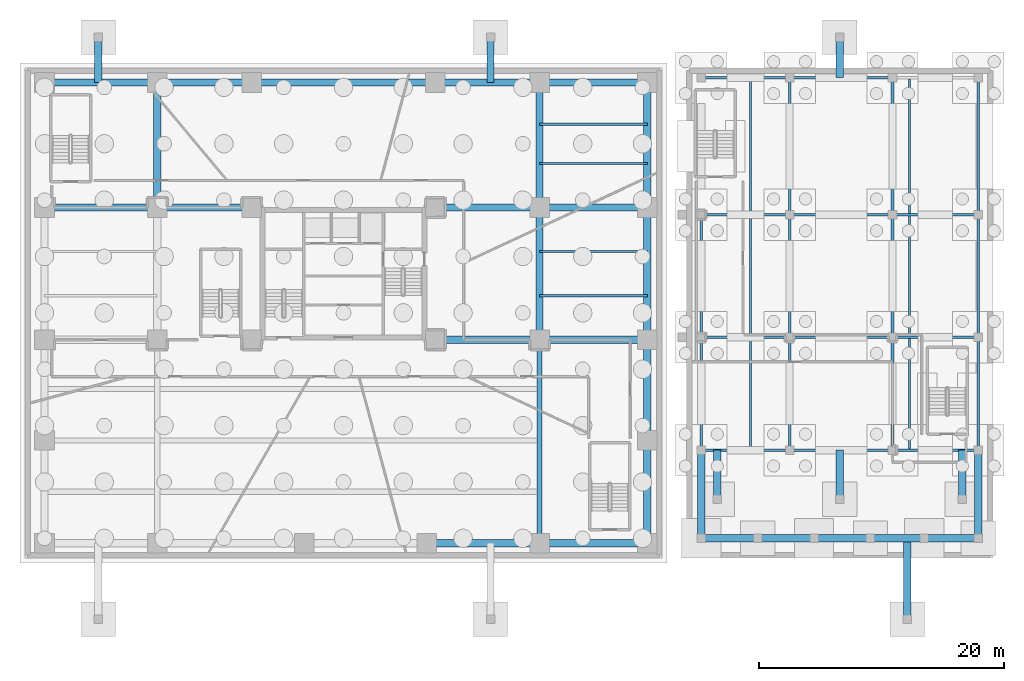
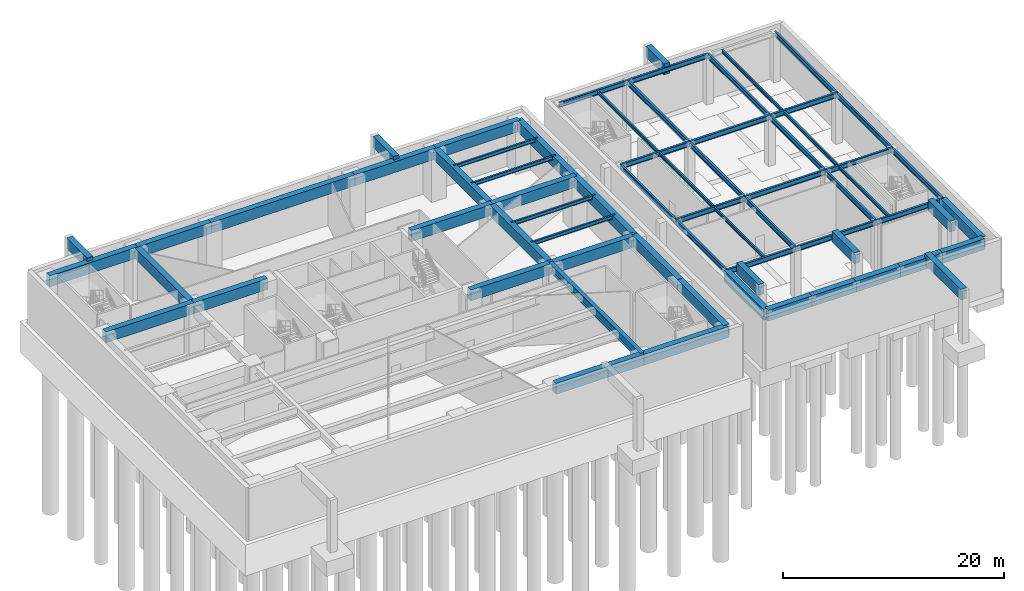
# One storey, part 3 of 15: 67 beams.
"""IFC4 building model written with IfcOpenShell, lengths in metres."""

from ifc_helpers import new_model, si_unit, direction, frame, origin, origin_2d, place, context, subcontext, project, spatial, rectangle, i_section, extrude, material, material_profile, profile_set, type_object, element, save


model = new_model("IFC4")

# Units and contexts
model_context = context("Model", 3, precision=1e-05, world=origin(), true_north=direction((0.0, 1.0)))
body_context = subcontext(model_context, "Body", "Model", "MODEL_VIEW")
ifc_project = project(units=[si_unit("LENGTHUNIT", "METRE"), si_unit("AREAUNIT", "SQUARE_METRE"), si_unit("VOLUMEUNIT", "CUBIC_METRE"), si_unit("PLANEANGLEUNIT", "RADIAN"), si_unit("MASSUNIT", "GRAM", prefix="KILO")], contexts=[model_context])

# Site, building, storey
site_placement = place(None, origin())
site = spatial("IfcSite", under=ifc_project, at=site_placement, CompositionType="ELEMENT")
building_placement = place(site_placement, origin())
building = spatial("IfcBuilding", under=site, at=building_placement, Name="Talar Marvaseh", CompositionType="ELEMENT")
storey_placement = place(building_placement, frame((0.0, 0.0, -11.60009765625)))
storey = spatial("IfcBuildingStorey", under=building, at=storey_placement, Name="B02", CompositionType="ELEMENT", Elevation=-11.60009765625)

# Beams
ifc_material_1 = material(Name="Steel S460", Category="steel")
ifc_material_profile_1 = material_profile(ifc_material_1, i_section(OverallWidth=0.41796875, OverallDepth=0.912109375, WebThickness=0.019287109375, FlangeThickness=0.031982421875, at=origin_2d()), Name="W920x342")
ifc_profile_set_1 = profile_set([ifc_material_profile_1], Name="Steel S460")
beam_type_1 = type_object("IfcBeamType", Name="Auditorium Long-Span Girder W920x342", PredefinedType="BEAM", material=ifc_profile_set_1)
beam_1_placement = place(storey_placement, frame((42.0, 9.199951171875, 4.984130859375), z_axis=(0.0, 1.0, 0.0), x_axis=(-1.0, 0.0, 0.0)))
element("IfcBeam", 1, at=beam_1_placement, inside=storey, type_object=beam_type_1, Name="B02 Auditorium Long-Span Girder W920x342", PredefinedType="BEAM", context=body_context, shape_type="SweptSolid", body=[
    extrude(i_section(OverallWidth=0.41796875, OverallDepth=0.912109375, WebThickness=0.019287109375, FlangeThickness=0.031982421875, at=origin_2d()), origin(), (0.0, 0.0, 1.0), 16.60009765625),
])
ifc_material_2 = material(Name="Steel S355", Category="steel")
ifc_material_profile_2 = material_profile(ifc_material_2, i_section(OverallWidth=0.2119140625, OverallDepth=0.5439453125, WebThickness=0.01318359375, FlangeThickness=0.021240234375, at=origin_2d()), Name="W530x123")
ifc_profile_set_2 = profile_set([ifc_material_profile_2], Name="Steel S355")
beam_type_2 = type_object("IfcBeamType", Name="Market Hall Primary Girder W530x123", PredefinedType="BEAM", material=ifc_profile_set_2)
beam_2_placement = place(storey_placement, frame((55.199951171875, 16.800048828125, 5.168212890625), z_axis=(1.0, 0.0, 0.0), x_axis=(0.0, 1.0, 0.0)))
element("IfcBeam", 2, at=beam_2_placement, inside=storey, type_object=beam_type_2, Name="B02 Market Hall Primary Girder W530x123", PredefinedType="BEAM", context=body_context, shape_type="SweptSolid", body=[
    extrude(i_section(OverallWidth=0.2119140625, OverallDepth=0.5439453125, WebThickness=0.01318359375, FlangeThickness=0.021240234375, at=origin_2d()), origin(), (0.0, 0.0, 1.0), 7.199951171875),
])
beam_3_placement = place(storey_placement, frame((62.39990234375, 16.800048828125, 5.168212890625), z_axis=(1.0, 0.0, 0.0), x_axis=(0.0, 1.0, 0.0)))
element("IfcBeam", 3, at=beam_3_placement, inside=storey, type_object=beam_type_2, Name="B02 Market Hall Primary Girder W530x123", PredefinedType="BEAM", context=body_context, shape_type="SweptSolid", body=[
    extrude(i_section(OverallWidth=0.2119140625, OverallDepth=0.5439453125, WebThickness=0.01318359375, FlangeThickness=0.021240234375, at=origin_2d()), origin(), (0.0, 0.0, 1.0), 8.400146484375),
])
beam_4_placement = place(storey_placement, frame((70.800048828125, 16.800048828125, 5.168212890625), z_axis=(1.0, 0.0, 0.0), x_axis=(0.0, 1.0, 0.0)))
element("IfcBeam", 4, at=beam_4_placement, inside=storey, type_object=beam_type_2, Name="B02 Market Hall Primary Girder W530x123", PredefinedType="BEAM", context=body_context, shape_type="SweptSolid", body=[
    extrude(i_section(OverallWidth=0.2119140625, OverallDepth=0.5439453125, WebThickness=0.01318359375, FlangeThickness=0.021240234375, at=origin_2d()), origin(), (0.0, 0.0, 1.0), 7.0),
])
beam_5_placement = place(storey_placement, frame((55.199951171875, 26.0, 5.168212890625), z_axis=(1.0, 0.0, 0.0), x_axis=(0.0, 1.0, 0.0)))
element("IfcBeam", 5, at=beam_5_placement, inside=storey, type_object=beam_type_2, Name="B02 Market Hall Primary Girder W530x123", PredefinedType="BEAM", context=body_context, shape_type="SweptSolid", body=[
    extrude(i_section(OverallWidth=0.2119140625, OverallDepth=0.5439453125, WebThickness=0.01318359375, FlangeThickness=0.021240234375, at=origin_2d()), origin(), (0.0, 0.0, 1.0), 7.199951171875),
])
beam_6_placement = place(storey_placement, frame((62.39990234375, 26.0, 5.168212890625), z_axis=(1.0, 0.0, 0.0), x_axis=(0.0, 1.0, 0.0)))
element("IfcBeam", 6, at=beam_6_placement, inside=storey, type_object=beam_type_2, Name="B02 Market Hall Primary Girder W530x123", PredefinedType="BEAM", context=body_context, shape_type="SweptSolid", body=[
    extrude(i_section(OverallWidth=0.2119140625, OverallDepth=0.5439453125, WebThickness=0.01318359375, FlangeThickness=0.021240234375, at=origin_2d()), origin(), (0.0, 0.0, 1.0), 8.400146484375),
])
beam_7_placement = place(storey_placement, frame((70.800048828125, 26.0, 5.168212890625), z_axis=(1.0, 0.0, 0.0), x_axis=(0.0, 1.0, 0.0)))
element("IfcBeam", 7, at=beam_7_placement, inside=storey, type_object=beam_type_2, Name="B02 Market Hall Primary Girder W530x123", PredefinedType="BEAM", context=body_context, shape_type="SweptSolid", body=[
    extrude(i_section(OverallWidth=0.2119140625, OverallDepth=0.5439453125, WebThickness=0.01318359375, FlangeThickness=0.021240234375, at=origin_2d()), origin(), (0.0, 0.0, 1.0), 7.0),
])
beam_8_placement = place(storey_placement, frame((55.199951171875, 36.0, 5.168212890625), z_axis=(1.0, 0.0, 0.0), x_axis=(0.0, 1.0, 0.0)))
element("IfcBeam", 8, at=beam_8_placement, inside=storey, type_object=beam_type_2, Name="B02 Market Hall Primary Girder W530x123", PredefinedType="BEAM", context=body_context, shape_type="SweptSolid", body=[
    extrude(i_section(OverallWidth=0.2119140625, OverallDepth=0.5439453125, WebThickness=0.01318359375, FlangeThickness=0.021240234375, at=origin_2d()), origin(), (0.0, 0.0, 1.0), 7.199951171875),
])
beam_9_placement = place(storey_placement, frame((62.39990234375, 36.0, 5.168212890625), z_axis=(1.0, 0.0, 0.0), x_axis=(0.0, 1.0, 0.0)))
element("IfcBeam", 9, at=beam_9_placement, inside=storey, type_object=beam_type_2, Name="B02 Market Hall Primary Girder W530x123", PredefinedType="BEAM", context=body_context, shape_type="SweptSolid", body=[
    extrude(i_section(OverallWidth=0.2119140625, OverallDepth=0.5439453125, WebThickness=0.01318359375, FlangeThickness=0.021240234375, at=origin_2d()), origin(), (0.0, 0.0, 1.0), 8.400146484375),
])
beam_10_placement = place(storey_placement, frame((70.800048828125, 36.0, 5.168212890625), z_axis=(1.0, 0.0, 0.0), x_axis=(0.0, 1.0, 0.0)))
element("IfcBeam", 10, at=beam_10_placement, inside=storey, type_object=beam_type_2, Name="B02 Market Hall Primary Girder W530x123", PredefinedType="BEAM", context=body_context, shape_type="SweptSolid", body=[
    extrude(i_section(OverallWidth=0.2119140625, OverallDepth=0.5439453125, WebThickness=0.01318359375, FlangeThickness=0.021240234375, at=origin_2d()), origin(), (0.0, 0.0, 1.0), 7.0),
])
beam_11_placement = place(storey_placement, frame((55.199951171875, 47.199951171875, 5.168212890625), z_axis=(1.0, 0.0, 0.0), x_axis=(0.0, 1.0, 0.0)))
element("IfcBeam", 11, at=beam_11_placement, inside=storey, type_object=beam_type_2, Name="B02 Market Hall Primary Girder W530x123", PredefinedType="BEAM", context=body_context, shape_type="SweptSolid", body=[
    extrude(i_section(OverallWidth=0.2119140625, OverallDepth=0.5439453125, WebThickness=0.01318359375, FlangeThickness=0.021240234375, at=origin_2d()), origin(), (0.0, 0.0, 1.0), 7.199951171875),
])
beam_12_placement = place(storey_placement, frame((62.39990234375, 47.199951171875, 5.168212890625), z_axis=(1.0, 0.0, 0.0), x_axis=(0.0, 1.0, 0.0)))
element("IfcBeam", 12, at=beam_12_placement, inside=storey, type_object=beam_type_2, Name="B02 Market Hall Primary Girder W530x123", PredefinedType="BEAM", context=body_context, shape_type="SweptSolid", body=[
    extrude(i_section(OverallWidth=0.2119140625, OverallDepth=0.5439453125, WebThickness=0.01318359375, FlangeThickness=0.021240234375, at=origin_2d()), origin(), (0.0, 0.0, 1.0), 8.400146484375),
])
beam_13_placement = place(storey_placement, frame((55.199951171875, 16.800048828125, 5.168212890625), z_axis=(0.0, 1.0, 0.0), x_axis=(-1.0, 0.0, 0.0)))
element("IfcBeam", 13, at=beam_13_placement, inside=storey, type_object=beam_type_2, Name="B02 Market Hall Primary Girder W530x123", PredefinedType="BEAM", context=body_context, shape_type="SweptSolid", body=[
    extrude(i_section(OverallWidth=0.2119140625, OverallDepth=0.5439453125, WebThickness=0.01318359375, FlangeThickness=0.021240234375, at=origin_2d()), origin(), (0.0, 0.0, 1.0), 9.199951171875),
])
beam_14_placement = place(storey_placement, frame((55.199951171875, 26.0, 5.168212890625), z_axis=(0.0, 1.0, 0.0), x_axis=(-1.0, 0.0, 0.0)))
element("IfcBeam", 14, at=beam_14_placement, inside=storey, type_object=beam_type_2, Name="B02 Market Hall Primary Girder W530x123", PredefinedType="BEAM", context=body_context, shape_type="SweptSolid", body=[
    extrude(i_section(OverallWidth=0.2119140625, OverallDepth=0.5439453125, WebThickness=0.01318359375, FlangeThickness=0.021240234375, at=origin_2d()), origin(), (0.0, 0.0, 1.0), 10.0),
])
beam_15_placement = place(storey_placement, frame((62.39990234375, 16.800048828125, 5.168212890625), z_axis=(0.0, 1.0, 0.0), x_axis=(-1.0, 0.0, 0.0)))
element("IfcBeam", 15, at=beam_15_placement, inside=storey, type_object=beam_type_2, Name="B02 Market Hall Primary Girder W530x123", PredefinedType="BEAM", context=body_context, shape_type="SweptSolid", body=[
    extrude(i_section(OverallWidth=0.2119140625, OverallDepth=0.5439453125, WebThickness=0.01318359375, FlangeThickness=0.021240234375, at=origin_2d()), origin(), (0.0, 0.0, 1.0), 9.199951171875),
])
beam_16_placement = place(storey_placement, frame((62.39990234375, 26.0, 5.168212890625), z_axis=(0.0, 1.0, 0.0), x_axis=(-1.0, 0.0, 0.0)))
element("IfcBeam", 16, at=beam_16_placement, inside=storey, type_object=beam_type_2, Name="B02 Market Hall Primary Girder W530x123", PredefinedType="BEAM", context=body_context, shape_type="SweptSolid", body=[
    extrude(i_section(OverallWidth=0.2119140625, OverallDepth=0.5439453125, WebThickness=0.01318359375, FlangeThickness=0.021240234375, at=origin_2d()), origin(), (0.0, 0.0, 1.0), 10.0),
])
beam_17_placement = place(storey_placement, frame((62.39990234375, 36.0, 5.168212890625), z_axis=(0.0, 1.0, 0.0), x_axis=(-1.0, 0.0, 0.0)))
element("IfcBeam", 17, at=beam_17_placement, inside=storey, type_object=beam_type_2, Name="B02 Market Hall Primary Girder W530x123", PredefinedType="BEAM", context=body_context, shape_type="SweptSolid", body=[
    extrude(i_section(OverallWidth=0.2119140625, OverallDepth=0.5439453125, WebThickness=0.01318359375, FlangeThickness=0.021240234375, at=origin_2d()), origin(), (0.0, 0.0, 1.0), 11.199951171875),
])
beam_18_placement = place(storey_placement, frame((70.800048828125, 16.800048828125, 5.168212890625), z_axis=(0.0, 1.0, 0.0), x_axis=(-1.0, 0.0, 0.0)))
element("IfcBeam", 18, at=beam_18_placement, inside=storey, type_object=beam_type_2, Name="B02 Market Hall Primary Girder W530x123", PredefinedType="BEAM", context=body_context, shape_type="SweptSolid", body=[
    extrude(i_section(OverallWidth=0.2119140625, OverallDepth=0.5439453125, WebThickness=0.01318359375, FlangeThickness=0.021240234375, at=origin_2d()), origin(), (0.0, 0.0, 1.0), 9.199951171875),
])
beam_19_placement = place(storey_placement, frame((70.800048828125, 26.0, 5.168212890625), z_axis=(0.0, 1.0, 0.0), x_axis=(-1.0, 0.0, 0.0)))
element("IfcBeam", 19, at=beam_19_placement, inside=storey, type_object=beam_type_2, Name="B02 Market Hall Primary Girder W530x123", PredefinedType="BEAM", context=body_context, shape_type="SweptSolid", body=[
    extrude(i_section(OverallWidth=0.2119140625, OverallDepth=0.5439453125, WebThickness=0.01318359375, FlangeThickness=0.021240234375, at=origin_2d()), origin(), (0.0, 0.0, 1.0), 10.0),
])
beam_20_placement = place(storey_placement, frame((70.800048828125, 36.0, 5.168212890625), z_axis=(0.0, 1.0, 0.0), x_axis=(-1.0, 0.0, 0.0)))
element("IfcBeam", 20, at=beam_20_placement, inside=storey, type_object=beam_type_2, Name="B02 Market Hall Primary Girder W530x123", PredefinedType="BEAM", context=body_context, shape_type="SweptSolid", body=[
    extrude(i_section(OverallWidth=0.2119140625, OverallDepth=0.5439453125, WebThickness=0.01318359375, FlangeThickness=0.021240234375, at=origin_2d()), origin(), (0.0, 0.0, 1.0), 11.199951171875),
])
beam_21_placement = place(storey_placement, frame((77.800048828125, 16.800048828125, 5.168212890625), z_axis=(0.0, 1.0, 0.0), x_axis=(-1.0, 0.0, 0.0)))
element("IfcBeam", 21, at=beam_21_placement, inside=storey, type_object=beam_type_2, Name="B02 Market Hall Primary Girder W530x123", PredefinedType="BEAM", context=body_context, shape_type="SweptSolid", body=[
    extrude(i_section(OverallWidth=0.2119140625, OverallDepth=0.5439453125, WebThickness=0.01318359375, FlangeThickness=0.021240234375, at=origin_2d()), origin(), (0.0, 0.0, 1.0), 9.199951171875),
])
beam_22_placement = place(storey_placement, frame((77.800048828125, 26.0, 5.168212890625), z_axis=(0.0, 1.0, 0.0), x_axis=(-1.0, 0.0, 0.0)))
element("IfcBeam", 22, at=beam_22_placement, inside=storey, type_object=beam_type_2, Name="B02 Market Hall Primary Girder W530x123", PredefinedType="BEAM", context=body_context, shape_type="SweptSolid", body=[
    extrude(i_section(OverallWidth=0.2119140625, OverallDepth=0.5439453125, WebThickness=0.01318359375, FlangeThickness=0.021240234375, at=origin_2d()), origin(), (0.0, 0.0, 1.0), 10.0),
])
beam_23_placement = place(storey_placement, frame((77.800048828125, 36.0, 5.168212890625), z_axis=(0.0, 1.0, 0.0), x_axis=(-1.0, 0.0, 0.0)))
element("IfcBeam", 23, at=beam_23_placement, inside=storey, type_object=beam_type_2, Name="B02 Market Hall Primary Girder W530x123", PredefinedType="BEAM", context=body_context, shape_type="SweptSolid", body=[
    extrude(i_section(OverallWidth=0.2119140625, OverallDepth=0.5439453125, WebThickness=0.01318359375, FlangeThickness=0.021240234375, at=origin_2d()), origin(), (0.0, 0.0, 1.0), 11.199951171875),
])
ifc_material_3 = material(Name="Concrete C50/60", Category="concrete")
ifc_material_profile_3 = material_profile(ifc_material_3, rectangle(XDim=0.60009765625, YDim=1.199951171875, at=origin_2d()), Name="RC600x1200")
ifc_profile_set_3 = profile_set([ifc_material_profile_3], Name="Concrete C50/60")
beam_type_3 = type_object("IfcBeamType", Name="Substructure Concrete Frame Beam RC600x1200", PredefinedType="BEAM", material=ifc_profile_set_3)
beam_24_placement = place(storey_placement, frame((32.800048828125, 9.199951171875, 4.840087890625), z_axis=(1.0, 0.0, 0.0), x_axis=(0.0, 1.0, 0.0)))
element("IfcBeam", 24, at=beam_24_placement, inside=storey, type_object=beam_type_3, Name="B02 Substructure Concrete Frame Beam RC600x1200", PredefinedType="BEAM", context=body_context, shape_type="SweptSolid", body=[
    extrude(rectangle(XDim=0.60009765625, YDim=1.199951171875, at=origin_2d()), origin(), (0.0, 0.0, 1.0), 9.199951171875),
])
beam_25_placement = place(storey_placement, frame((42.0, 9.199951171875, 4.840087890625), z_axis=(1.0, 0.0, 0.0), x_axis=(0.0, 1.0, 0.0)))
element("IfcBeam", 25, at=beam_25_placement, inside=storey, type_object=beam_type_3, Name="B02 Substructure Concrete Frame Beam RC600x1200", PredefinedType="BEAM", context=body_context, shape_type="SweptSolid", body=[
    extrude(rectangle(XDim=0.60009765625, YDim=1.199951171875, at=origin_2d()), origin(), (0.0, 0.0, 1.0), 8.800048828125),
])
beam_26_placement = place(storey_placement, frame((33.5, 25.800048828125, 4.840087890625), z_axis=(1.0, 0.0, 0.0), x_axis=(0.0, 1.0, 0.0)))
element("IfcBeam", 26, at=beam_26_placement, inside=storey, type_object=beam_type_3, Name="B02 Substructure Concrete Frame Beam RC600x1200", PredefinedType="BEAM", context=body_context, shape_type="SweptSolid", body=[
    extrude(rectangle(XDim=0.60009765625, YDim=1.199951171875, at=origin_2d()), origin(), (0.0, 0.0, 1.0), 8.5),
])
beam_27_placement = place(storey_placement, frame((42.0, 25.800048828125, 4.840087890625), z_axis=(1.0, 0.0, 0.0), x_axis=(0.0, 1.0, 0.0)))
element("IfcBeam", 27, at=beam_27_placement, inside=storey, type_object=beam_type_3, Name="B02 Substructure Concrete Frame Beam RC600x1200", PredefinedType="BEAM", context=body_context, shape_type="SweptSolid", body=[
    extrude(rectangle(XDim=0.60009765625, YDim=1.199951171875, at=origin_2d()), origin(), (0.0, 0.0, 1.0), 8.800048828125),
])
beam_28_placement = place(storey_placement, frame((1.60009765625, 36.60009765625, 4.840087890625), z_axis=(1.0, 0.0, 0.0), x_axis=(0.0, 1.0, 0.0)))
element("IfcBeam", 28, at=beam_28_placement, inside=storey, type_object=beam_type_3, Name="B02 Substructure Concrete Frame Beam RC600x1200", PredefinedType="BEAM", context=body_context, shape_type="SweptSolid", body=[
    extrude(rectangle(XDim=0.60009765625, YDim=1.199951171875, at=origin_2d()), origin(), (0.0, 0.0, 1.0), 9.199951171875),
])
beam_29_placement = place(storey_placement, frame((10.800048828125, 36.60009765625, 4.840087890625), z_axis=(1.0, 0.0, 0.0), x_axis=(0.0, 1.0, 0.0)))
element("IfcBeam", 29, at=beam_29_placement, inside=storey, type_object=beam_type_3, Name="B02 Substructure Concrete Frame Beam RC600x1200", PredefinedType="BEAM", context=body_context, shape_type="SweptSolid", body=[
    extrude(rectangle(XDim=0.60009765625, YDim=1.199951171875, at=origin_2d()), origin(), (0.0, 0.0, 1.0), 7.699951171875),
])
beam_30_placement = place(storey_placement, frame((33.5, 36.60009765625, 4.840087890625), z_axis=(1.0, 0.0, 0.0), x_axis=(0.0, 1.0, 0.0)))
element("IfcBeam", 30, at=beam_30_placement, inside=storey, type_object=beam_type_3, Name="B02 Substructure Concrete Frame Beam RC600x1200", PredefinedType="BEAM", context=body_context, shape_type="SweptSolid", body=[
    extrude(rectangle(XDim=0.60009765625, YDim=1.199951171875, at=origin_2d()), origin(), (0.0, 0.0, 1.0), 8.5),
])
beam_31_placement = place(storey_placement, frame((42.0, 36.60009765625, 4.840087890625), z_axis=(1.0, 0.0, 0.0), x_axis=(0.0, 1.0, 0.0)))
element("IfcBeam", 31, at=beam_31_placement, inside=storey, type_object=beam_type_3, Name="B02 Substructure Concrete Frame Beam RC600x1200", PredefinedType="BEAM", context=body_context, shape_type="SweptSolid", body=[
    extrude(rectangle(XDim=0.60009765625, YDim=1.199951171875, at=origin_2d()), origin(), (0.0, 0.0, 1.0), 8.800048828125),
])
beam_32_placement = place(storey_placement, frame((1.60009765625, 46.800048828125, 4.840087890625), z_axis=(1.0, 0.0, 0.0), x_axis=(0.0, 1.0, 0.0)))
element("IfcBeam", 32, at=beam_32_placement, inside=storey, type_object=beam_type_3, Name="B02 Substructure Concrete Frame Beam RC600x1200", PredefinedType="BEAM", context=body_context, shape_type="SweptSolid", body=[
    extrude(rectangle(XDim=0.60009765625, YDim=1.199951171875, at=origin_2d()), origin(), (0.0, 0.0, 1.0), 9.199951171875),
])
beam_33_placement = place(storey_placement, frame((10.800048828125, 46.800048828125, 4.840087890625), z_axis=(1.0, 0.0, 0.0), x_axis=(0.0, 1.0, 0.0)))
element("IfcBeam", 33, at=beam_33_placement, inside=storey, type_object=beam_type_3, Name="B02 Substructure Concrete Frame Beam RC600x1200", PredefinedType="BEAM", context=body_context, shape_type="SweptSolid", body=[
    extrude(rectangle(XDim=0.60009765625, YDim=1.199951171875, at=origin_2d()), origin(), (0.0, 0.0, 1.0), 7.699951171875),
])
beam_34_placement = place(storey_placement, frame((18.5, 46.800048828125, 4.840087890625), z_axis=(1.0, 0.0, 0.0), x_axis=(0.0, 1.0, 0.0)))
element("IfcBeam", 34, at=beam_34_placement, inside=storey, type_object=beam_type_3, Name="B02 Substructure Concrete Frame Beam RC600x1200", PredefinedType="BEAM", context=body_context, shape_type="SweptSolid", body=[
    extrude(rectangle(XDim=0.60009765625, YDim=1.199951171875, at=origin_2d()), origin(), (0.0, 0.0, 1.0), 15.0),
])
beam_35_placement = place(storey_placement, frame((33.5, 46.800048828125, 4.840087890625), z_axis=(1.0, 0.0, 0.0), x_axis=(0.0, 1.0, 0.0)))
element("IfcBeam", 35, at=beam_35_placement, inside=storey, type_object=beam_type_3, Name="B02 Substructure Concrete Frame Beam RC600x1200", PredefinedType="BEAM", context=body_context, shape_type="SweptSolid", body=[
    extrude(rectangle(XDim=0.60009765625, YDim=1.199951171875, at=origin_2d()), origin(), (0.0, 0.0, 1.0), 8.5),
])
beam_36_placement = place(storey_placement, frame((42.0, 46.800048828125, 4.840087890625), z_axis=(1.0, 0.0, 0.0), x_axis=(0.0, 1.0, 0.0)))
element("IfcBeam", 36, at=beam_36_placement, inside=storey, type_object=beam_type_3, Name="B02 Substructure Concrete Frame Beam RC600x1200", PredefinedType="BEAM", context=body_context, shape_type="SweptSolid", body=[
    extrude(rectangle(XDim=0.60009765625, YDim=1.199951171875, at=origin_2d()), origin(), (0.0, 0.0, 1.0), 8.800048828125),
])
beam_37_placement = place(storey_placement, frame((10.800048828125, 36.60009765625, 4.840087890625), z_axis=(0.0, 1.0, 0.0), x_axis=(-1.0, 0.0, 0.0)))
element("IfcBeam", 37, at=beam_37_placement, inside=storey, type_object=beam_type_3, Name="B02 Substructure Concrete Frame Beam RC600x1200", PredefinedType="BEAM", context=body_context, shape_type="SweptSolid", body=[
    extrude(rectangle(XDim=0.60009765625, YDim=1.199951171875, at=origin_2d()), origin(), (0.0, 0.0, 1.0), 10.199951171875),
])
beam_38_placement = place(storey_placement, frame((42.0, 25.800048828125, 4.840087890625), z_axis=(0.0, 1.0, 0.0), x_axis=(-1.0, 0.0, 0.0)))
element("IfcBeam", 38, at=beam_38_placement, inside=storey, type_object=beam_type_3, Name="B02 Substructure Concrete Frame Beam RC600x1200", PredefinedType="BEAM", context=body_context, shape_type="SweptSolid", body=[
    extrude(rectangle(XDim=0.60009765625, YDim=1.199951171875, at=origin_2d()), origin(), (0.0, 0.0, 1.0), 10.800048828125),
])
beam_39_placement = place(storey_placement, frame((42.0, 36.60009765625, 4.840087890625), z_axis=(0.0, 1.0, 0.0), x_axis=(-1.0, 0.0, 0.0)))
element("IfcBeam", 39, at=beam_39_placement, inside=storey, type_object=beam_type_3, Name="B02 Substructure Concrete Frame Beam RC600x1200", PredefinedType="BEAM", context=body_context, shape_type="SweptSolid", body=[
    extrude(rectangle(XDim=0.60009765625, YDim=1.199951171875, at=origin_2d()), origin(), (0.0, 0.0, 1.0), 10.199951171875),
])
beam_40_placement = place(storey_placement, frame((50.800048828125, 9.199951171875, 4.840087890625), z_axis=(0.0, 1.0, 0.0), x_axis=(-1.0, 0.0, 0.0)))
element("IfcBeam", 40, at=beam_40_placement, inside=storey, type_object=beam_type_3, Name="B02 Substructure Concrete Frame Beam RC600x1200", PredefinedType="BEAM", context=body_context, shape_type="SweptSolid", body=[
    extrude(rectangle(XDim=0.60009765625, YDim=1.199951171875, at=origin_2d()), origin(), (0.0, 0.0, 1.0), 8.400146484375),
])
beam_41_placement = place(storey_placement, frame((50.800048828125, 17.60009765625, 4.840087890625), z_axis=(0.0, 1.0, 0.0), x_axis=(-1.0, 0.0, 0.0)))
element("IfcBeam", 41, at=beam_41_placement, inside=storey, type_object=beam_type_3, Name="B02 Substructure Concrete Frame Beam RC600x1200", PredefinedType="BEAM", context=body_context, shape_type="SweptSolid", body=[
    extrude(rectangle(XDim=0.60009765625, YDim=1.199951171875, at=origin_2d()), origin(), (0.0, 0.0, 1.0), 8.199951171875),
])
beam_42_placement = place(storey_placement, frame((50.800048828125, 25.800048828125, 4.840087890625), z_axis=(0.0, 1.0, 0.0), x_axis=(-1.0, 0.0, 0.0)))
element("IfcBeam", 42, at=beam_42_placement, inside=storey, type_object=beam_type_3, Name="B02 Substructure Concrete Frame Beam RC600x1200", PredefinedType="BEAM", context=body_context, shape_type="SweptSolid", body=[
    extrude(rectangle(XDim=0.60009765625, YDim=1.199951171875, at=origin_2d()), origin(), (0.0, 0.0, 1.0), 10.800048828125),
])
beam_43_placement = place(storey_placement, frame((50.800048828125, 36.60009765625, 4.840087890625), z_axis=(0.0, 1.0, 0.0), x_axis=(-1.0, 0.0, 0.0)))
element("IfcBeam", 43, at=beam_43_placement, inside=storey, type_object=beam_type_3, Name="B02 Substructure Concrete Frame Beam RC600x1200", PredefinedType="BEAM", context=body_context, shape_type="SweptSolid", body=[
    extrude(rectangle(XDim=0.60009765625, YDim=1.199951171875, at=origin_2d()), origin(), (0.0, 0.0, 1.0), 10.199951171875),
])
beam_44_placement = place(storey_placement, frame((55.199951171875, 9.60009765625, 4.840087890625), z_axis=(1.0, 0.0, 0.0), x_axis=(0.0, 1.0, 0.0)))
element("IfcBeam", 44, at=beam_44_placement, inside=storey, type_object=beam_type_3, Name="B02 Substructure Concrete Frame Beam RC600x1200", PredefinedType="BEAM", context=body_context, shape_type="SweptSolid", body=[
    extrude(rectangle(XDim=0.60009765625, YDim=1.199951171875, at=origin_2d()), origin(), (0.0, 0.0, 1.0), 4.60009765625),
])
beam_45_placement = place(storey_placement, frame((59.800048828125, 9.60009765625, 4.840087890625), z_axis=(1.0, 0.0, 0.0), x_axis=(0.0, 1.0, 0.0)))
element("IfcBeam", 45, at=beam_45_placement, inside=storey, type_object=beam_type_3, Name="B02 Substructure Concrete Frame Beam RC600x1200", PredefinedType="BEAM", context=body_context, shape_type="SweptSolid", body=[
    extrude(rectangle(XDim=0.60009765625, YDim=1.199951171875, at=origin_2d()), origin(), (0.0, 0.0, 1.0), 4.599853515625),
])
beam_46_placement = place(storey_placement, frame((64.39990234375, 9.60009765625, 4.840087890625), z_axis=(1.0, 0.0, 0.0), x_axis=(0.0, 1.0, 0.0)))
element("IfcBeam", 46, at=beam_46_placement, inside=storey, type_object=beam_type_3, Name="B02 Substructure Concrete Frame Beam RC600x1200", PredefinedType="BEAM", context=body_context, shape_type="SweptSolid", body=[
    extrude(rectangle(XDim=0.60009765625, YDim=1.199951171875, at=origin_2d()), origin(), (0.0, 0.0, 1.0), 4.60009765625),
])
beam_47_placement = place(storey_placement, frame((69.0, 9.60009765625, 4.840087890625), z_axis=(1.0, 0.0, 0.0), x_axis=(0.0, 1.0, 0.0)))
element("IfcBeam", 47, at=beam_47_placement, inside=storey, type_object=beam_type_3, Name="B02 Substructure Concrete Frame Beam RC600x1200", PredefinedType="BEAM", context=body_context, shape_type="SweptSolid", body=[
    extrude(rectangle(XDim=0.60009765625, YDim=1.199951171875, at=origin_2d()), origin(), (0.0, 0.0, 1.0), 4.39990234375),
])
beam_48_placement = place(storey_placement, frame((73.39990234375, 9.60009765625, 4.840087890625), z_axis=(1.0, 0.0, 0.0), x_axis=(0.0, 1.0, 0.0)))
element("IfcBeam", 48, at=beam_48_placement, inside=storey, type_object=beam_type_3, Name="B02 Substructure Concrete Frame Beam RC600x1200", PredefinedType="BEAM", context=body_context, shape_type="SweptSolid", body=[
    extrude(rectangle(XDim=0.60009765625, YDim=1.199951171875, at=origin_2d()), origin(), (0.0, 0.0, 1.0), 4.400146484375),
])
for number, where, z_axis, x_axis, name in (
    (49, (55.199951171875, 9.60009765625, 4.840087890625), (0.0, 1.0, 0.0), (-1.0, 0.0, 0.0), "B02 Substructure Concrete Frame Beam RC600x1200"),
    (50, (77.800048828125, 9.60009765625, 4.840087890625), (0.0, 1.0, 0.0), (-1.0, 0.0, 0.0), "B02 Substructure Concrete Frame Beam RC600x1200"),
):
    element("IfcBeam", number, at=place(storey_placement, frame(where, z_axis=z_axis, x_axis=x_axis)), inside=storey, type_object=beam_type_3, Name=name, PredefinedType="BEAM", context=body_context, shape_type="SweptSolid", body=[
        extrude(rectangle(XDim=0.60009765625, YDim=1.199951171875, at=origin_2d()), origin(), (0.0, 0.0, 1.0), 7.199951171875),
    ])
beam_49_placement = place(storey_placement, frame((72.0, 3.0, 5.2001953125), z_axis=(0.0, 1.0, 0.0), x_axis=(-1.0, 0.0, 0.0)))
element("IfcBeam", 51, at=beam_49_placement, inside=storey, type_object=beam_type_3, Name="B02 Substructure Concrete Frame Beam RC600x1200", PredefinedType="BEAM", context=body_context, shape_type="SweptSolid", body=[
    extrude(rectangle(XDim=0.60009765625, YDim=1.199951171875, at=origin_2d()), origin(), (0.0, 0.0, 1.0), 6.60009765625),
])
for number, where, z_axis, x_axis, name in (
    (52, (6.0, 50.5, 5.2001953125), (0.0, -1.0, 0.0), (1.0, 0.0, 0.0), "B02 Substructure Concrete Frame Beam RC600x1200"),
    (53, (38.0, 50.5, 5.2001953125), (0.0, -1.0, 0.0), (1.0, 0.0, 0.0), "B02 Substructure Concrete Frame Beam RC600x1200"),
):
    element("IfcBeam", number, at=place(storey_placement, frame(where, z_axis=z_axis, x_axis=x_axis)), inside=storey, type_object=beam_type_3, Name=name, PredefinedType="BEAM", context=body_context, shape_type="SweptSolid", body=[
        extrude(rectangle(XDim=0.60009765625, YDim=1.199951171875, at=origin_2d()), origin(), (0.0, 0.0, 1.0), 3.699951171875),
    ])
beam_50_placement = place(storey_placement, frame((66.5, 50.5, 5.2001953125), z_axis=(0.0, -1.0, 0.0), x_axis=(1.0, 0.0, 0.0)))
element("IfcBeam", 54, at=beam_50_placement, inside=storey, type_object=beam_type_3, Name="B02 Substructure Concrete Frame Beam RC600x1200", PredefinedType="BEAM", context=body_context, shape_type="SweptSolid", body=[
    extrude(rectangle(XDim=0.60009765625, YDim=1.199951171875, at=origin_2d()), origin(), (0.0, 0.0, 1.0), 3.300048828125),
])
for number, where, z_axis, x_axis, name in (
    (55, (56.5, 12.800048828125, 5.2001953125), (0.0, 1.0, 0.0), (-1.0, 0.0, 0.0), "B02 Substructure Concrete Frame Beam RC600x1200"),
    (56, (66.5, 12.800048828125, 5.2001953125), (0.0, 1.0, 0.0), (-1.0, 0.0, 0.0), "B02 Substructure Concrete Frame Beam RC600x1200"),
    (57, (76.5, 12.800048828125, 5.2001953125), (0.0, 1.0, 0.0), (-1.0, 0.0, 0.0), "B02 Substructure Concrete Frame Beam RC600x1200"),
):
    element("IfcBeam", number, at=place(storey_placement, frame(where, z_axis=z_axis, x_axis=x_axis)), inside=storey, type_object=beam_type_3, Name=name, PredefinedType="BEAM", context=body_context, shape_type="SweptSolid", body=[
        extrude(rectangle(XDim=0.60009765625, YDim=1.199951171875, at=origin_2d()), origin(), (0.0, 0.0, 1.0), 4.0),
    ])
ifc_material_profile_4 = material_profile(ifc_material_2, i_section(OverallWidth=0.179931640625, OverallDepth=0.4130859375, WebThickness=0.009765625, FlangeThickness=0.01611328125, at=origin_2d()), Name="W410x75")
ifc_profile_set_4 = profile_set([ifc_material_profile_4], Name="Steel S355")
beam_type_4 = type_object("IfcBeamType", Name="Zone 1 Secondary Floor Joist W410x75", PredefinedType="JOIST", material=ifc_profile_set_4)
for number, where, z_axis, x_axis, name in (
    (58, (42.0, 29.39990234375, 5.233642578125), (1.0, 0.0, 0.0), (0.0, 1.0, 0.0), "B02 Zone 1 Secondary Floor Joist W410x75"),
    (59, (42.0, 33.0, 5.233642578125), (1.0, 0.0, 0.0), (0.0, 1.0, 0.0), "B02 Zone 1 Secondary Floor Joist W410x75"),
    (60, (42.0, 40.199951171875, 5.233642578125), (1.0, 0.0, 0.0), (0.0, 1.0, 0.0), "B02 Zone 1 Secondary Floor Joist W410x75"),
    (61, (42.0, 43.39990234375, 5.233642578125), (1.0, 0.0, 0.0), (0.0, 1.0, 0.0), "B02 Zone 1 Secondary Floor Joist W410x75"),
):
    element("IfcBeam", number, at=place(storey_placement, frame(where, z_axis=z_axis, x_axis=x_axis)), inside=storey, type_object=beam_type_4, Name=name, PredefinedType="JOIST", context=body_context, shape_type="SweptSolid", body=[
        extrude(i_section(OverallWidth=0.179931640625, OverallDepth=0.4130859375, WebThickness=0.009765625, FlangeThickness=0.01611328125, at=origin_2d()), origin(), (0.0, 0.0, 1.0), 8.800048828125),
    ])
ifc_material_profile_5 = material_profile(ifc_material_2, i_section(OverallWidth=0.172119140625, OverallDepth=0.35791015625, WebThickness=0.0078125, FlangeThickness=0.01318359375, at=origin_2d()), Name="W360x57")
ifc_profile_set_5 = profile_set([ifc_material_profile_5], Name="Steel S355")
beam_type_5 = type_object("IfcBeamType", Name="Zone 2 Secondary Floor Joist W360x57", PredefinedType="JOIST", material=ifc_profile_set_5)
beam_51_placement = place(storey_placement, frame((59.199951171875, 16.905029296875, 5.260986328125), z_axis=(0.0, 1.0, 0.0), x_axis=(-1.0, 0.0, 0.0)))
element("IfcBeam", 62, at=beam_51_placement, inside=storey, type_object=beam_type_5, Name="B02 Zone 2 Secondary Floor Joist W360x57", PredefinedType="JOIST", context=body_context, shape_type="SweptSolid", body=[
    extrude(i_section(OverallWidth=0.172119140625, OverallDepth=0.35791015625, WebThickness=0.0078125, FlangeThickness=0.01318359375, at=origin_2d()), origin(), (0.0, 0.0, 1.0), 8.989990234375),
])
beam_52_placement = place(storey_placement, frame((59.199951171875, 26.10498046875, 5.260986328125), z_axis=(0.0, 1.0, 0.0), x_axis=(-1.0, 0.0, 0.0)))
element("IfcBeam", 63, at=beam_52_placement, inside=storey, type_object=beam_type_5, Name="B02 Zone 2 Secondary Floor Joist W360x57", PredefinedType="JOIST", context=body_context, shape_type="SweptSolid", body=[
    extrude(i_section(OverallWidth=0.172119140625, OverallDepth=0.35791015625, WebThickness=0.0078125, FlangeThickness=0.01318359375, at=origin_2d()), origin(), (0.0, 0.0, 1.0), 9.7900390625),
])
beam_53_placement = place(storey_placement, frame((59.199951171875, 36.10498046875, 5.260986328125), z_axis=(0.0, 1.0, 0.0), x_axis=(-1.0, 0.0, 0.0)))
element("IfcBeam", 64, at=beam_53_placement, inside=storey, type_object=beam_type_5, Name="B02 Zone 2 Secondary Floor Joist W360x57", PredefinedType="JOIST", context=body_context, shape_type="SweptSolid", body=[
    extrude(i_section(OverallWidth=0.172119140625, OverallDepth=0.35791015625, WebThickness=0.0078125, FlangeThickness=0.01318359375, at=origin_2d()), origin(), (0.0, 0.0, 1.0), 10.989990234375),
])
beam_54_placement = place(storey_placement, frame((72.199951171875, 16.905029296875, 5.260986328125), z_axis=(0.0, 1.0, 0.0), x_axis=(-1.0, 0.0, 0.0)))
element("IfcBeam", 65, at=beam_54_placement, inside=storey, type_object=beam_type_5, Name="B02 Zone 2 Secondary Floor Joist W360x57", PredefinedType="JOIST", context=body_context, shape_type="SweptSolid", body=[
    extrude(i_section(OverallWidth=0.172119140625, OverallDepth=0.35791015625, WebThickness=0.0078125, FlangeThickness=0.01318359375, at=origin_2d()), origin(), (0.0, 0.0, 1.0), 8.989990234375),
])
beam_55_placement = place(storey_placement, frame((72.199951171875, 26.10498046875, 5.260986328125), z_axis=(0.0, 1.0, 0.0), x_axis=(-1.0, 0.0, 0.0)))
element("IfcBeam", 66, at=beam_55_placement, inside=storey, type_object=beam_type_5, Name="B02 Zone 2 Secondary Floor Joist W360x57", PredefinedType="JOIST", context=body_context, shape_type="SweptSolid", body=[
    extrude(i_section(OverallWidth=0.172119140625, OverallDepth=0.35791015625, WebThickness=0.0078125, FlangeThickness=0.01318359375, at=origin_2d()), origin(), (0.0, 0.0, 1.0), 9.7900390625),
])
beam_56_placement = place(storey_placement, frame((72.199951171875, 36.10498046875, 5.260986328125), z_axis=(0.0, 1.0, 0.0), x_axis=(-1.0, 0.0, 0.0)))
element("IfcBeam", 67, at=beam_56_placement, inside=storey, type_object=beam_type_5, Name="B02 Zone 2 Secondary Floor Joist W360x57", PredefinedType="JOIST", context=body_context, shape_type="SweptSolid", body=[
    extrude(i_section(OverallWidth=0.172119140625, OverallDepth=0.35791015625, WebThickness=0.0078125, FlangeThickness=0.01318359375, at=origin_2d()), origin(), (0.0, 0.0, 1.0), 10.989990234375),
])

save(model, "model.ifc")
